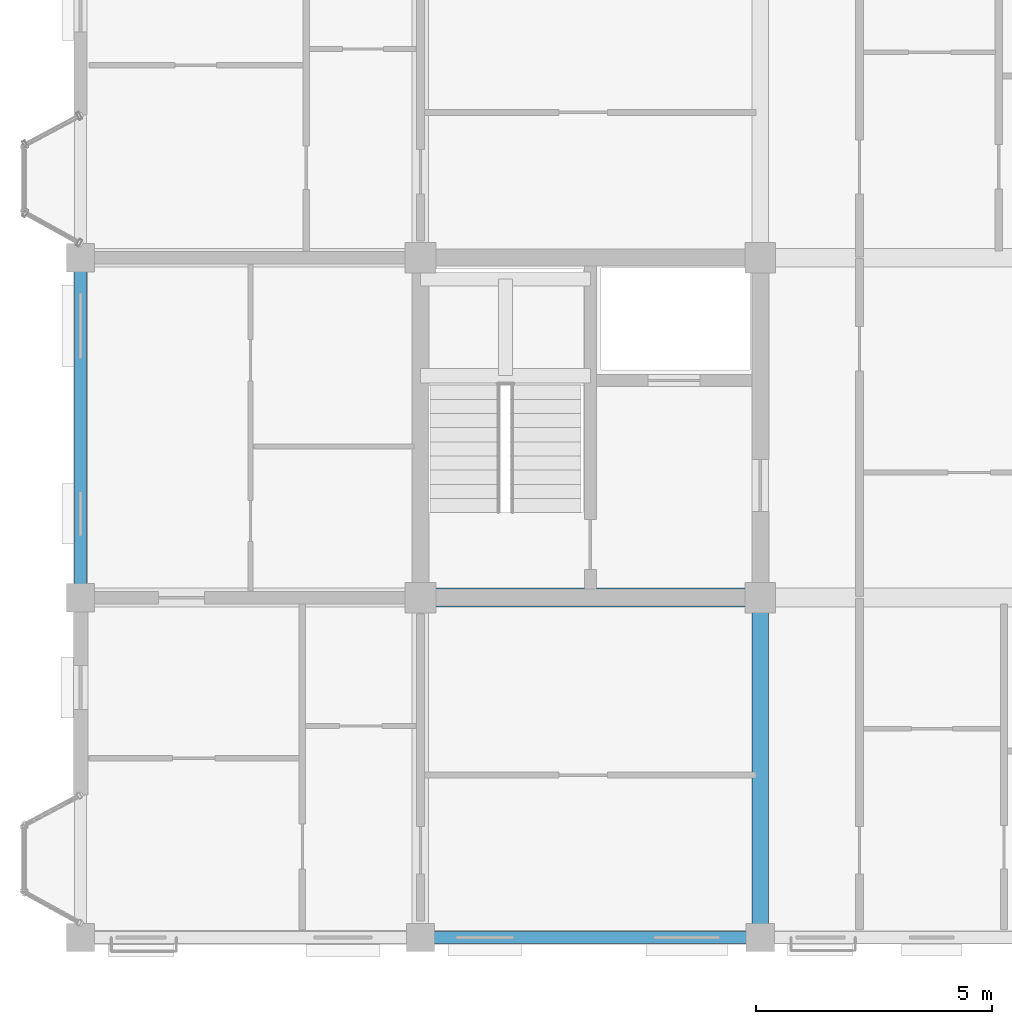
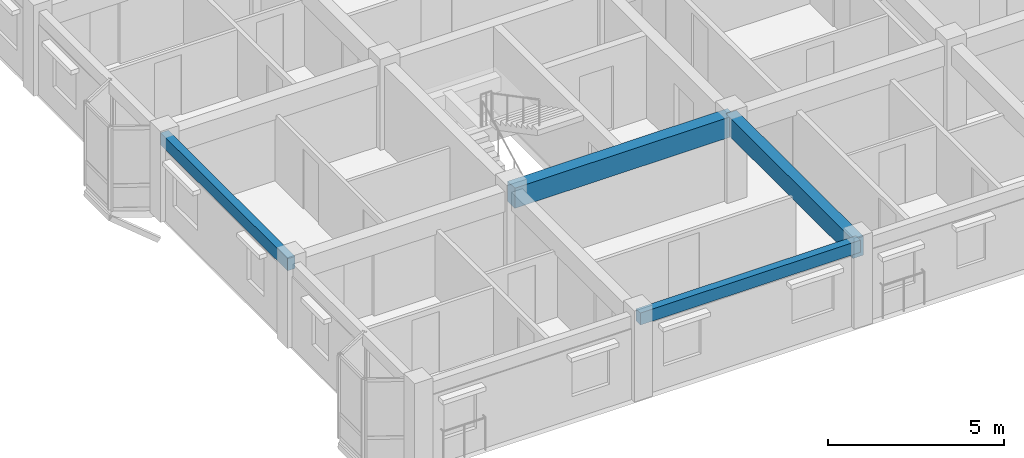
# One storey, part 3 of 124: 4 beams.
"""IFC4 building model written with IfcOpenShell, lengths in metres."""

from ifc_helpers import new_model, si_unit, direction, frame, origin, origin_2d, place, context, subcontext, project, spatial, rectangle, extrude, material, material_profile, profile_set, type_object, element, save


model = new_model("IFC4")

# Units and contexts
model_context = context("Model", 3, precision=1e-05, world=origin(), true_north=direction((0.0, 1.0)))
body_context = subcontext(model_context, "Body", "Model", "MODEL_VIEW")
ifc_project = project(units=[si_unit("LENGTHUNIT", "METRE"), si_unit("AREAUNIT", "SQUARE_METRE"), si_unit("VOLUMEUNIT", "CUBIC_METRE"), si_unit("PLANEANGLEUNIT", "RADIAN"), si_unit("MASSUNIT", "GRAM", prefix="KILO"), si_unit("THERMODYNAMICTEMPERATUREUNIT", "KELVIN"), si_unit("POWERUNIT", "WATT")], contexts=[model_context])

# Site, building, storey
site_placement = place(None, origin())
site = spatial("IfcSite", under=ifc_project, at=site_placement, CompositionType="ELEMENT")
building_placement = place(site_placement, origin())
building = spatial("IfcBuilding", under=site, at=building_placement, Name="Tavuni Mirador Residences", CompositionType="ELEMENT")
storey_placement = place(building_placement, frame((0.0, 0.0, 7.64990234375)))
storey = spatial("IfcBuildingStorey", under=building, at=storey_placement, Name="L02", CompositionType="ELEMENT", Elevation=7.64990234375)

# Beams
ifc_material = material(Name="Precast concrete C40/50", Category="concrete")
ifc_material_profile_1 = material_profile(ifc_material, rectangle(XDim=0.35009765625, YDim=0.64990234375, at=origin_2d()), Name="PC 350x650", Category="concrete")
ifc_profile_set_1 = profile_set([ifc_material_profile_1], Name="Precast concrete C40/50")
beam_type_1 = type_object("IfcBeamType", Name="BT-B650", PredefinedType="BEAM", material=ifc_profile_set_1)
beam_1_placement = place(storey_placement, frame((18.0, 7.199951171875, 2.545166015625), z_axis=(0.0, 1.0, 0.0), x_axis=(-1.0, 0.0, 0.0)))
element("IfcBeam", 1, at=beam_1_placement, inside=storey, type_object=beam_type_1, Name="BMY-BLK-A-L02-02-00", PredefinedType="BEAM", context=body_context, shape_type="SweptSolid", body=[
    extrude(rectangle(XDim=0.35009765625, YDim=0.64990234375, at=origin_2d()), origin(), (0.0, 0.0, 1.0), 7.199951171875),
])
ifc_material_profile_2 = material_profile(ifc_material, rectangle(XDim=0.39990234375, YDim=0.699951171875, at=origin_2d()), Name="PC 400x700", Category="concrete")
ifc_profile_set_2 = profile_set([ifc_material_profile_2], Name="Precast concrete C40/50")
beam_type_2 = type_object("IfcBeamType", Name="BT-B700", PredefinedType="BEAM", material=ifc_profile_set_2)
beam_2_placement = place(storey_placement, frame((10.800048828125, 14.39990234375, 2.52001953125), z_axis=(1.0, 0.0, 0.0), x_axis=(0.0, 1.0, 0.0)))
element("IfcBeam", 2, at=beam_2_placement, inside=storey, type_object=beam_type_2, Name="BMX-BLK-A-L02-01-01", PredefinedType="BEAM", context=body_context, shape_type="SweptSolid", body=[
    extrude(rectangle(XDim=0.39990234375, YDim=0.699951171875, at=origin_2d()), origin(), (0.0, 0.0, 1.0), 7.199951171875),
])
ifc_material_profile_3 = material_profile(ifc_material, rectangle(XDim=0.25, YDim=0.419921875, at=origin_2d()), Name="PC 250x420", Category="concrete")
ifc_profile_set_3 = profile_set([ifc_material_profile_3], Name="Precast concrete C40/50")
beam_type_3 = type_object("IfcBeamType", Name="BT-SP420", PredefinedType="SPANDREL", material=ifc_profile_set_3)
beam_3_placement = place(storey_placement, frame((10.800048828125, 7.199951171875, 2.66015625), z_axis=(1.0, 0.0, 0.0), x_axis=(0.0, 1.0, 0.0)))
element("IfcBeam", 3, at=beam_3_placement, inside=storey, type_object=beam_type_3, Name="BMX-BLK-A-L02-01-00", PredefinedType="SPANDREL", context=body_context, shape_type="SweptSolid", body=[
    extrude(rectangle(XDim=0.25, YDim=0.419921875, at=origin_2d()), origin(), (0.0, 0.0, 1.0), 7.199951171875),
])
beam_4_placement = place(storey_placement, frame((3.60009765625, 14.39990234375, 2.66015625), z_axis=(0.0, 1.0, 0.0), x_axis=(-1.0, 0.0, 0.0)))
element("IfcBeam", 4, at=beam_4_placement, inside=storey, type_object=beam_type_3, Name="BMY-BLK-A-L02-00-01", PredefinedType="SPANDREL", context=body_context, shape_type="SweptSolid", body=[
    extrude(rectangle(XDim=0.25, YDim=0.419921875, at=origin_2d()), origin(), (0.0, 0.0, 1.0), 7.2001953125),
])

save(model, "model.ifc")
